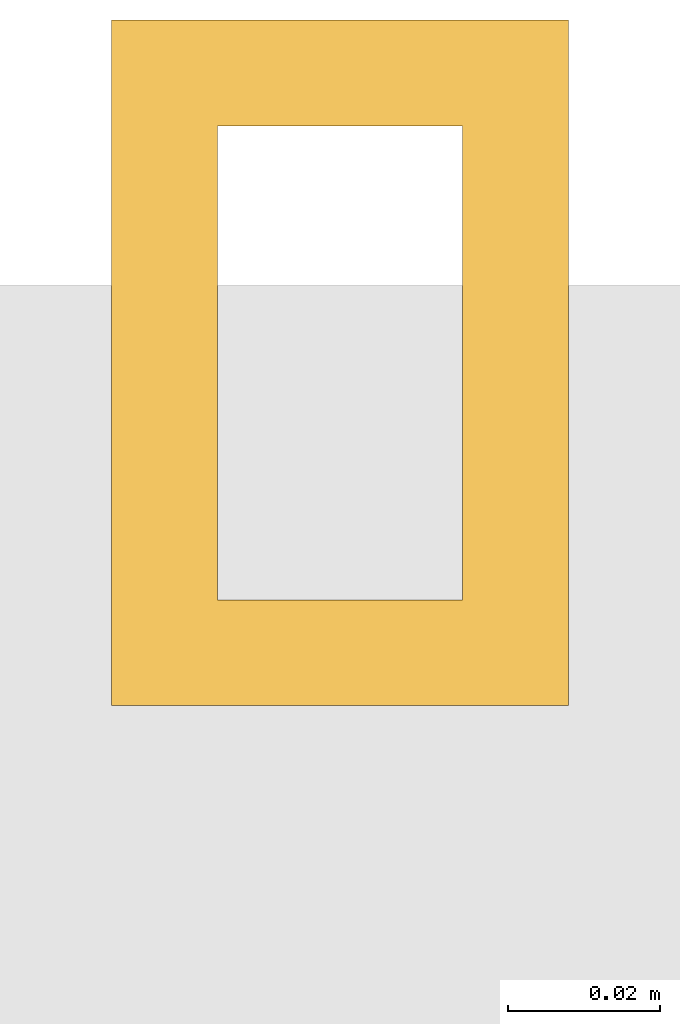
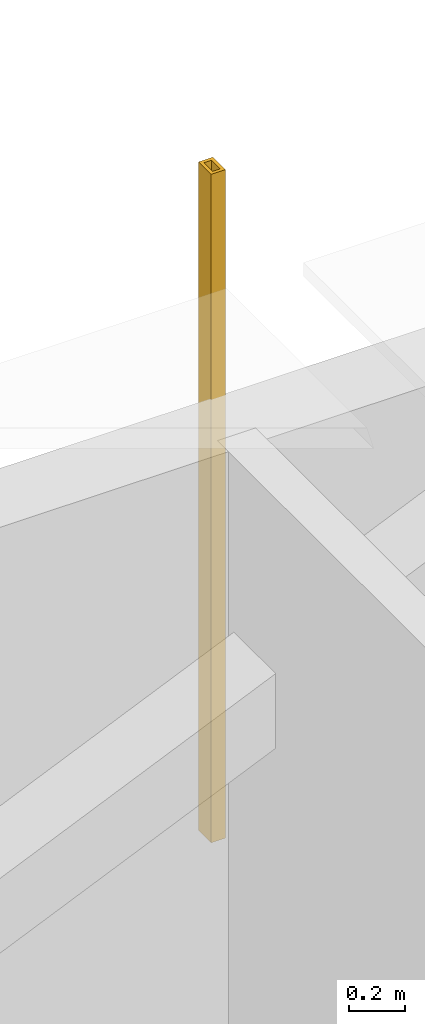
# One storey, part 38 of 38: 1 shading device.
"""IFC4 building model written with IfcOpenShell, lengths in metres."""

from ifc_helpers import new_model, si_unit, direction, frame, origin, origin_2d, place, context, subcontext, project, spatial, hollow_rectangle, extrude, material, material_profile, profile_set, type_object, element, save


model = new_model("IFC4")

# Units and contexts
model_context = context("Model", 3, precision=1e-05, world=origin(), true_north=direction((0.0, 1.0)))
body_context = subcontext(model_context, "Body", "Model", "MODEL_VIEW")
ifc_project = project(units=[si_unit("LENGTHUNIT", "METRE"), si_unit("AREAUNIT", "SQUARE_METRE"), si_unit("VOLUMEUNIT", "CUBIC_METRE"), si_unit("PLANEANGLEUNIT", "RADIAN"), si_unit("MASSUNIT", "GRAM", prefix="KILO")], contexts=[model_context])

# Site, building, storey
site_placement = place(None, origin())
site = spatial("IfcSite", under=ifc_project, at=site_placement, CompositionType="ELEMENT")
building_placement = place(site_placement, origin())
building = spatial("IfcBuilding", under=site, at=building_placement, Name="Punatoya Terracotta Tower", CompositionType="ELEMENT")
storey_placement = place(building_placement, frame((0.0, 0.0, 156.0)))
storey = spatial("IfcBuildingStorey", under=building, at=storey_placement, Name="L36", CompositionType="ELEMENT", Elevation=156.0)

# Shading device
ifc_material = material(Name="Architectural Fired Terracotta", Category="masonry")
ifc_material_profile = material_profile(ifc_material, hollow_rectangle(XDim=0.06005859375, YDim=0.090087890625, WallThickness=0.013916015625, at=origin_2d()))
ifc_profile_set = profile_set([ifc_material_profile], Name="Architectural Fired Terracotta")
shading_device_type = type_object("IfcShadingDeviceType", Name="SHD-JALI-90", PredefinedType="JALOUSIE", material=ifc_profile_set)
shading_device_placement = place(storey_placement, frame((0.0, 23.449951171875, 0.60009765625), z_axis=(0.0, 0.0, 1.0), x_axis=(1.0, 0.0, 0.0)))
element("IfcShadingDevice", 1, at=shading_device_placement, inside=storey, type_object=shading_device_type, Name="L36 Braced Bay Terracotta Jali Fin N1", PredefinedType="JALOUSIE", context=body_context, shape_type="SweptSolid", body=[
    extrude(hollow_rectangle(XDim=0.06005859375, YDim=0.090087890625, WallThickness=0.013916015625, at=origin_2d()), origin(), (0.0, 0.0, 1.0), 2.929931640625),
])

save(model, "model.ifc")
